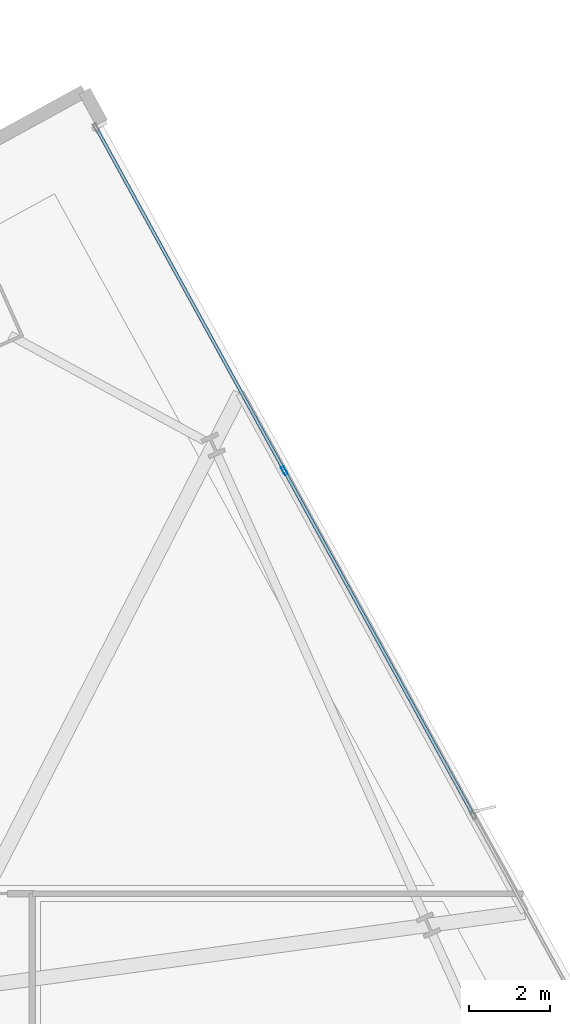
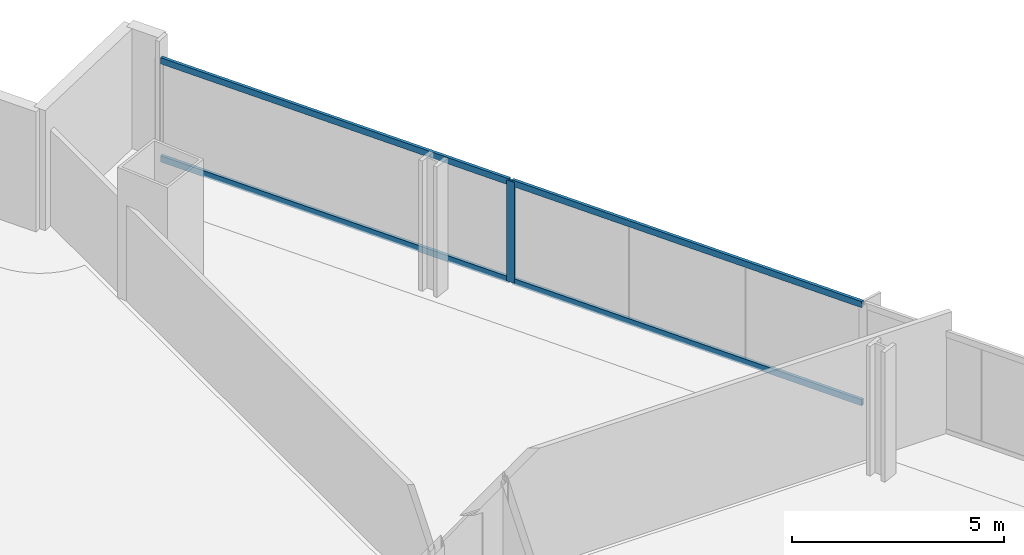
# One storey, part 21 of 33: 5 members, 1 element without a shape of its own.
"""IFC4 building model written with IfcOpenShell, lengths in metres."""

from ifc_helpers import new_model, si_unit, direction, frame, origin, origin_2d, place, context, subcontext, project, spatial, hollow_rectangle, extrude, material, material_profile, profile_set, type_object, element, aggregate, save


model = new_model("IFC4")

# Units and contexts
model_context = context("Model", 3, precision=1e-05, world=origin(), true_north=direction((0.0, 1.0)))
body_context = subcontext(model_context, "Body", "Model", "MODEL_VIEW")
ifc_project = project(units=[si_unit("LENGTHUNIT", "METRE"), si_unit("AREAUNIT", "SQUARE_METRE"), si_unit("VOLUMEUNIT", "CUBIC_METRE"), si_unit("PLANEANGLEUNIT", "RADIAN"), si_unit("MASSUNIT", "GRAM", prefix="KILO")], contexts=[model_context])

# Site, building, storey
site_placement = place(None, origin())
site = spatial("IfcSite", under=ifc_project, at=site_placement, CompositionType="ELEMENT")
building_placement = place(site_placement, origin())
building = spatial("IfcBuilding", under=site, at=building_placement, Name="Haldenkirk Collegiate Tower", CompositionType="ELEMENT")
storey_placement = place(building_placement, frame((0.0, 0.0, 124.199951171875)))
storey = spatial("IfcBuildingStorey", under=building, at=storey_placement, Name="L30", CompositionType="ELEMENT", Elevation=124.199951171875)

# Curtain wall, members
ifc_material = material(Name="Anodised architectural bronze aluminium", Category="aluminium")
curtain_wall_type = type_object("IfcCurtainWallType", Name="CW-SYS1-CONVEX-LOW", PredefinedType="USERDEFINED", material=ifc_material)
curtain_wall_placement = place(storey_placement, origin())
curtain_wall = element("IfcCurtainWall", 1, at=curtain_wall_placement, inside=storey, type_object=curtain_wall_type, Name="L30 Lower tower convex bronze-framed unitised curtain wall", ObjectType="UNITISED CURTAIN WALL", PredefinedType="USERDEFINED")
ifc_material_profile_1 = material_profile(ifc_material, hollow_rectangle(XDim=0.080078125, YDim=0.219970703125, WallThickness=0.0048828125, at=origin_2d()), Name="CW-MUL-1A")
ifc_profile_set_1 = profile_set([ifc_material_profile_1], Name="Anodised architectural bronze aluminium")
member_type_1 = type_object("IfcMemberType", Name="CW-MUL-1A", PredefinedType="MULLION", material=ifc_profile_set_1)
member_1_placement = place(storey_placement, frame((53.689208984375, 46.918212890625, 0.0), z_axis=(0.0, 0.0, 1.0), x_axis=(0.876726263845, 0.480989665465, 0.0)))
member_1 = element("IfcMember", 2, at=member_1_placement, type_object=member_type_1, Name="CW-1A mullion 2", PredefinedType="MULLION", context=body_context, shape_type="SweptSolid", body=[
    extrude(hollow_rectangle(XDim=0.080078125, YDim=0.219970703125, WallThickness=0.0048828125, at=origin_2d()), origin(), (0.0, 0.0, 1.0), 2.901123046875),
])
ifc_material_profile_2 = material_profile(ifc_material, hollow_rectangle(XDim=0.080078125, YDim=0.179931640625, WallThickness=0.0048828125, at=origin_2d()), Name="CW-TRN-1A")
ifc_profile_set_2 = profile_set([ifc_material_profile_2], Name="Anodised architectural bronze aluminium")
member_type_2 = type_object("IfcMemberType", Name="CW-TRN-1A", PredefinedType="USERDEFINED", material=ifc_profile_set_2)
member_2_placement = place(storey_placement, frame((49.052978515625, 55.36865234375, 0.0400390625), z_axis=(0.480990927747, -0.876725571331, 0.0), x_axis=(0.876725571331, 0.480990927747, 0.0)))
member_2 = element("IfcMember", 3, at=member_2_placement, type_object=member_type_2, Name="CW-1A transom 1.1", ObjectType="TRANSOM", PredefinedType="USERDEFINED", context=body_context, shape_type="SweptSolid", body=[
    extrude(hollow_rectangle(XDim=0.080078125, YDim=0.179931640625, WallThickness=0.0048828125, at=origin_2d()), origin(), (0.0, 0.0, 1.0), 9.598876953125),
])
member_3_placement = place(storey_placement, frame((49.052978515625, 55.36865234375, 2.861083984375), z_axis=(0.480990927747, -0.876725571331, 0.0), x_axis=(0.876725571331, 0.480990927747, 0.0)))
member_3 = element("IfcMember", 4, at=member_3_placement, type_object=member_type_2, Name="CW-1A transom 1.2", ObjectType="TRANSOM", PredefinedType="USERDEFINED", context=body_context, shape_type="SweptSolid", body=[
    extrude(hollow_rectangle(XDim=0.080078125, YDim=0.179931640625, WallThickness=0.0048828125, at=origin_2d()), origin(), (0.0, 0.0, 1.0), 9.598876953125),
])
member_4_placement = place(storey_placement, frame((53.70849609375, 46.883056640625, 0.0400390625), z_axis=(0.480982109131, -0.87673040936, 0.0), x_axis=(0.87673040936, 0.480982109131, 0.0)))
member_4 = element("IfcMember", 5, at=member_4_placement, type_object=member_type_2, Name="CW-1A transom 2.1", ObjectType="TRANSOM", PredefinedType="USERDEFINED", context=body_context, shape_type="SweptSolid", body=[
    extrude(hollow_rectangle(XDim=0.080078125, YDim=0.179931640625, WallThickness=0.0048828125, at=origin_2d()), origin(), (0.0, 0.0, 1.0), 9.638671875),
])
member_5_placement = place(storey_placement, frame((53.70849609375, 46.883056640625, 2.861083984375), z_axis=(0.480982109131, -0.87673040936, 0.0), x_axis=(0.87673040936, 0.480982109131, 0.0)))
member_5 = element("IfcMember", 6, at=member_5_placement, type_object=member_type_2, Name="CW-1A transom 2.2", ObjectType="TRANSOM", PredefinedType="USERDEFINED", context=body_context, shape_type="SweptSolid", body=[
    extrude(hollow_rectangle(XDim=0.080078125, YDim=0.179931640625, WallThickness=0.0048828125, at=origin_2d()), origin(), (0.0, 0.0, 1.0), 9.638671875),
])
aggregate(curtain_wall, [member_1, member_2, member_3, member_4, member_5])

save(model, "model.ifc")
